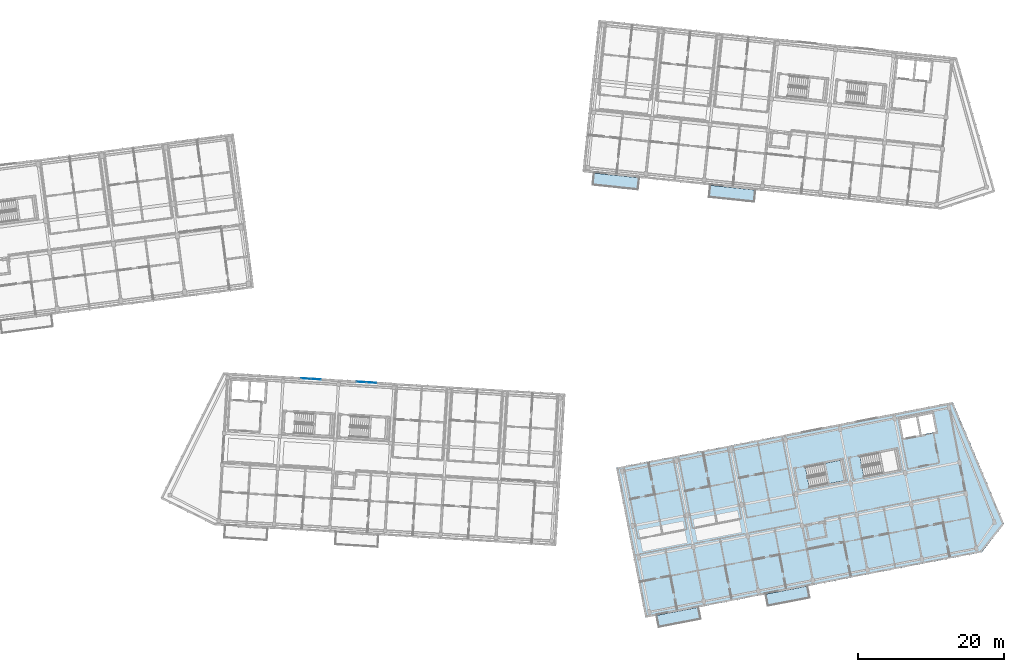
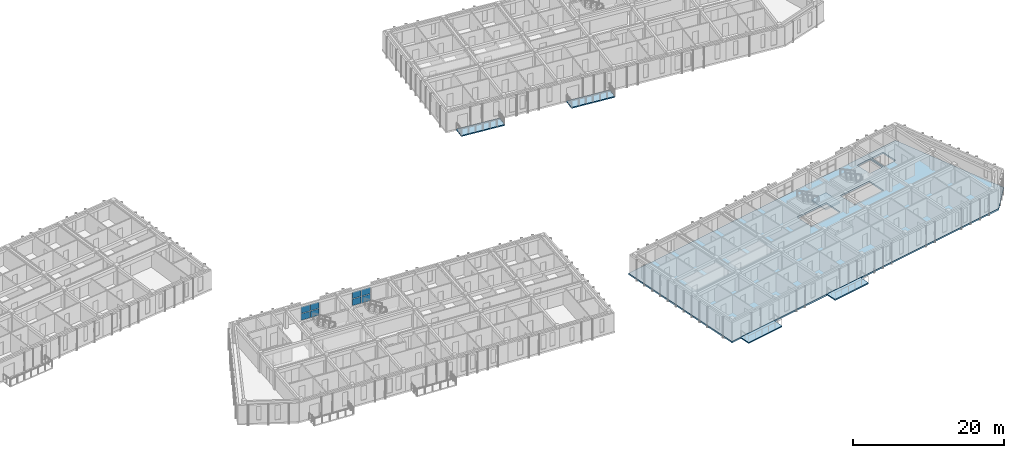
# One storey, part 18 of 66: 8 plates, 6 slabs, 3 elements without a shape of their own.
"""IFC4 building model written with IfcOpenShell, lengths in metres."""

from ifc_helpers import new_model, si_unit, direction, frame, origin, origin_2d, place, context, subcontext, project, spatial, polyline, rectangle, outline, extrude, material, layer, layer_set, type_object, element, aggregate, save


model = new_model("IFC4")

# Units and contexts
model_context = context("Model", 3, precision=1e-05, world=origin(), true_north=direction((0.0, 1.0)))
body_context = subcontext(model_context, "Body", "Model", "MODEL_VIEW")
ifc_project = project(units=[si_unit("LENGTHUNIT", "METRE"), si_unit("AREAUNIT", "SQUARE_METRE"), si_unit("VOLUMEUNIT", "CUBIC_METRE"), si_unit("PLANEANGLEUNIT", "RADIAN"), si_unit("MASSUNIT", "GRAM", prefix="KILO")], contexts=[model_context])

# Site, building, storey
site_placement = place(None, origin())
site = spatial("IfcSite", under=ifc_project, at=site_placement, CompositionType="ELEMENT")
building_placement = place(site_placement, origin())
building = spatial("IfcBuilding", under=site, at=building_placement, Name="Kestramere Prow Commons", CompositionType="ELEMENT")
storey_placement = place(building_placement, frame((0.0, 0.0, 14.89990234375)))
storey = spatial("IfcBuildingStorey", under=building, at=storey_placement, Name="L04", CompositionType="ELEMENT", Elevation=14.89990234375)

# Curtain wall, plates
ifc_material_1 = material(Name="Anodised Aluminium and Low-E Glass", Category="aluminium")
curtain_wall_type = type_object("IfcCurtainWallType", Name="CW-03 Glazed Curtain Wall 2830x2320", PredefinedType="USERDEFINED", material=ifc_material_1)
curtain_wall_1_placement = place(storey_placement, origin())
curtain_wall_1 = element("IfcCurtainWall", 1, at=curtain_wall_1_placement, inside=storey, type_object=curtain_wall_type, Name="Block C L04 Stairwell Vertical Glazing 2", ObjectType="GLAZED CURTAIN WALL", PredefinedType="USERDEFINED")
ifc_material_2 = material(Name="Low-E Laminated Double Glazing", Category="glass")
ifc_layer_1 = layer(ifc_material_2, 0.028076171875)
ifc_layer_set_1 = layer_set([ifc_layer_1], Name="Low-E Laminated Double Glazing")
plate_type = type_object("IfcPlateType", Name="CW-PNL-28", PredefinedType="CURTAIN_PANEL", material=ifc_layer_set_1)
plate_1_placement = place(storey_placement, frame((71.41748046875, 65.93359375, 0.065185546875), z_axis=(0.0, 0.0, 1.0), x_axis=(0.99813480569, -0.061048420708, 0.0)))
plate_1 = element("IfcPlate", 2, at=plate_1_placement, type_object=plate_type, Name="CW-03 panel 1.1", PredefinedType="CURTAIN_PANEL", context=body_context, shape_type="SweptSolid", body=[
    extrude(rectangle(XDim=1.3173828125, YDim=0.028076171875, at=origin_2d()), origin(), (0.0, 0.0, 1.0), 1.0625),
])
plate_2_placement = place(storey_placement, frame((71.41748046875, 65.93359375, 1.192626953125), z_axis=(0.0, 0.0, 1.0), x_axis=(0.99813480569, -0.061048420708, 0.0)))
plate_2 = element("IfcPlate", 3, at=plate_2_placement, type_object=plate_type, Name="CW-03 panel 1.2", PredefinedType="CURTAIN_PANEL", context=body_context, shape_type="SweptSolid", body=[
    extrude(rectangle(XDim=1.3173828125, YDim=0.028076171875, at=origin_2d()), origin(), (0.0, 0.0, 1.0), 1.0625),
])
plate_3_placement = place(storey_placement, frame((72.79736328125, 65.849365234375, 0.065185546875), z_axis=(0.0, 0.0, 1.0), x_axis=(0.99813480569, -0.061048420708, 0.0)))
plate_3 = element("IfcPlate", 4, at=plate_3_placement, type_object=plate_type, Name="CW-03 panel 2.1", PredefinedType="CURTAIN_PANEL", context=body_context, shape_type="SweptSolid", body=[
    extrude(rectangle(XDim=1.3173828125, YDim=0.028076171875, at=origin_2d()), origin(), (0.0, 0.0, 1.0), 1.0625),
])
plate_4_placement = place(storey_placement, frame((72.79736328125, 65.849365234375, 1.192626953125), z_axis=(0.0, 0.0, 1.0), x_axis=(0.99813480569, -0.061048420708, 0.0)))
plate_4 = element("IfcPlate", 5, at=plate_4_placement, type_object=plate_type, Name="CW-03 panel 2.2", PredefinedType="CURTAIN_PANEL", context=body_context, shape_type="SweptSolid", body=[
    extrude(rectangle(XDim=1.3173828125, YDim=0.028076171875, at=origin_2d()), origin(), (0.0, 0.0, 1.0), 1.0625),
])
aggregate(curtain_wall_1, [plate_1, plate_2, plate_3, plate_4])

curtain_wall_2_placement = place(storey_placement, origin())
curtain_wall_2 = element("IfcCurtainWall", 6, at=curtain_wall_2_placement, inside=storey, type_object=curtain_wall_type, Name="Block C L04 Stairwell Vertical Glazing 3", ObjectType="GLAZED CURTAIN WALL", PredefinedType="USERDEFINED")
plate_5_placement = place(storey_placement, frame((79.003173828125, 65.4697265625, 0.065185546875), z_axis=(0.0, 0.0, 1.0), x_axis=(0.998134807007, -0.061048399176, 0.0)))
plate_5 = element("IfcPlate", 7, at=plate_5_placement, type_object=plate_type, Name="CW-03 panel 1.1", PredefinedType="CURTAIN_PANEL", context=body_context, shape_type="SweptSolid", body=[
    extrude(rectangle(XDim=1.3173828125, YDim=0.028076171875, at=origin_2d()), origin(), (0.0, 0.0, 1.0), 1.0625),
])
plate_6_placement = place(storey_placement, frame((79.003173828125, 65.4697265625, 1.192626953125), z_axis=(0.0, 0.0, 1.0), x_axis=(0.998134807007, -0.061048399176, 0.0)))
plate_6 = element("IfcPlate", 8, at=plate_6_placement, type_object=plate_type, Name="CW-03 panel 1.2", PredefinedType="CURTAIN_PANEL", context=body_context, shape_type="SweptSolid", body=[
    extrude(rectangle(XDim=1.3173828125, YDim=0.028076171875, at=origin_2d()), origin(), (0.0, 0.0, 1.0), 1.0625),
])
plate_7_placement = place(storey_placement, frame((80.383056640625, 65.38525390625, 0.065185546875), z_axis=(0.0, 0.0, 1.0), x_axis=(0.998134807007, -0.061048399176, 0.0)))
plate_7 = element("IfcPlate", 9, at=plate_7_placement, type_object=plate_type, Name="CW-03 panel 2.1", PredefinedType="CURTAIN_PANEL", context=body_context, shape_type="SweptSolid", body=[
    extrude(rectangle(XDim=1.3173828125, YDim=0.028076171875, at=origin_2d()), origin(), (0.0, 0.0, 1.0), 1.0625),
])
plate_8_placement = place(storey_placement, frame((80.383056640625, 65.38525390625, 1.192626953125), z_axis=(0.0, 0.0, 1.0), x_axis=(0.998134807007, -0.061048399176, 0.0)))
plate_8 = element("IfcPlate", 10, at=plate_8_placement, type_object=plate_type, Name="CW-03 panel 2.2", PredefinedType="CURTAIN_PANEL", context=body_context, shape_type="SweptSolid", body=[
    extrude(rectangle(XDim=1.3173828125, YDim=0.028076171875, at=origin_2d()), origin(), (0.0, 0.0, 1.0), 1.0625),
])
aggregate(curtain_wall_2, [plate_5, plate_6, plate_7, plate_8])

# Slabs
ifc_material_3 = material(Name="Precast concrete C40/50", Category="concrete")
ifc_layer_2 = layer(ifc_material_3, 0.179931640625)
ifc_layer_set_2 = layer_set([ifc_layer_2], Name="Precast concrete C40/50")
slab_type_1 = type_object("IfcSlabType", Name="SL-BALC-180", PredefinedType="FLOOR", material=ifc_layer_set_2)
slab_1_placement = place(storey_placement, frame((0.0, 0.0, -0.179931640625)))
element("IfcSlab", 11, at=slab_1_placement, inside=storey, type_object=slab_type_1, Name="Block B L04 Apartment Balcony Slab 1", PredefinedType="FLOOR", context=body_context, shape_type="SweptSolid", body=[
    extrude(outline(polyline([(110.60498046875, 92.423828125), (116.870361328125, 91.76513671875), (117.04296875, 93.40625), (110.77734375, 94.064697265625), (110.60498046875, 92.423828125)])), origin(), (0.0, 0.0, 1.0), 0.179931640625),
])
slab_2_placement = place(storey_placement, frame((0.0, 0.0, -0.179931640625)))
element("IfcSlab", 12, at=slab_2_placement, inside=storey, type_object=slab_type_1, Name="Block B L04 Apartment Balcony Slab 3", PredefinedType="FLOOR", context=body_context, shape_type="SweptSolid", body=[
    extrude(outline(polyline([(126.517333984375, 90.751220703125), (132.78271484375, 90.0927734375), (132.955322265625, 91.733642578125), (126.689697265625, 92.392333984375), (126.517333984375, 90.751220703125)])), origin(), (0.0, 0.0, 1.0), 0.179931640625),
])
slab_3_placement = place(storey_placement, frame((0.0, 0.0, -0.179931640625)))
element("IfcSlab", 13, at=slab_3_placement, inside=storey, type_object=slab_type_1, Name="Block D L04 Apartment Balcony Slab 1", PredefinedType="FLOOR", context=body_context, shape_type="SweptSolid", body=[
    extrude(outline(polyline([(119.67333984375, 31.904541015625), (125.46484375, 33.0302734375), (125.14990234375, 34.64990234375), (119.3583984375, 33.524169921875), (119.67333984375, 31.904541015625)])), origin(), (0.0, 0.0, 1.0), 0.179931640625),
])
slab_4_placement = place(storey_placement, frame((0.0, 0.0, -0.179931640625)))
element("IfcSlab", 14, at=slab_4_placement, inside=storey, type_object=slab_type_1, Name="Block D L04 Apartment Balcony Slab 3", PredefinedType="FLOOR", context=body_context, shape_type="SweptSolid", body=[
    extrude(outline(polyline([(134.593994140625, 34.8046875), (140.385498046875, 35.930419921875), (140.07080078125, 37.55029296875), (134.279052734375, 36.42431640625), (134.593994140625, 34.8046875)])), origin(), (0.0, 0.0, 1.0), 0.179931640625),
])
ifc_layer_3 = layer(ifc_material_3, 0.25)
ifc_layer_set_3 = layer_set([ifc_layer_3], Name="Precast concrete C40/50")
slab_type_2 = type_object("IfcSlabType", Name="SL-HC-250", PredefinedType="FLOOR", material=ifc_layer_set_3)
slab_5_placement = place(storey_placement, frame((0.0, 0.0, -0.25)))
element("IfcSlab", 15, at=slab_5_placement, inside=storey, type_object=slab_type_2, Name="Block D L04 Hollowcore Floor Slab", PredefinedType="FLOOR", context=body_context, shape_type="SweptSolid", body=[
    extrude(outline(polyline([(117.885986328125, 33.238037109375), (163.92431640625, 42.186767578125), (166.936279296875, 46.083251953125), (159.936279296875, 62.702880859375), (113.89794921875, 53.75390625), (117.885986328125, 33.238037109375)]), holes=[polyline([(153.1533203125, 57.767822265625), (155.4111328125, 58.206787109375), (154.924560546875, 60.7099609375), (152.666748046875, 60.27099609375), (153.1533203125, 57.767822265625)]), polyline([(155.656494140625, 58.25439453125), (157.619873046875, 58.63623046875), (157.13330078125, 61.13916015625), (155.169921875, 60.757568359375), (155.656494140625, 58.25439453125)]), polyline([(140.300537109375, 51.0419921875), (145.306884765625, 52.01513671875), (144.76318359375, 54.812744140625), (139.7568359375, 53.839599609375), (140.300537109375, 51.0419921875)]), polyline([(147.760986328125, 52.4921875), (152.767333984375, 53.46533203125), (152.223388671875, 56.262939453125), (147.21728515625, 55.289794921875), (147.760986328125, 52.4921875)])]), origin(), (0.0, 0.0, 1.0), 0.25),
])

# Stair, slab
ifc_material_4 = material(Name="Concrete C40/50", Category="concrete")
stair_type = type_object("IfcStairType", Name="ST-DOG-1350", PredefinedType="HALF_TURN_STAIR", material=ifc_material_4)
stair_placement = place(storey_placement, origin())
stair = element("IfcStair", 16, at=stair_placement, inside=storey, type_object=stair_type, Name="L04 Block D Exit Stair 1", PredefinedType="HALF_TURN_STAIR")
ifc_layer_4 = layer(ifc_material_4, 0.199951171875)
ifc_layer_set_4 = layer_set([ifc_layer_4], Name="Concrete C40/50")
slab_type_3 = type_object("IfcSlabType", Name="SL-ST-LAND-200", PredefinedType="LANDING", material=ifc_layer_set_4)
slab_6_placement = place(storey_placement, frame((0.0, 0.0, 1.425048828125)))
slab_6 = element("IfcSlab", 17, at=slab_6_placement, type_object=slab_type_3, Name="ST-D1 landing 1", PredefinedType="LANDING", context=body_context, shape_type="SweptSolid", body=[
    extrude(outline(polyline([(142.7744140625, 51.522705078125), (145.306884765625, 52.01513671875), (144.76318359375, 54.812744140625), (142.23046875, 54.3203125), (142.7744140625, 51.522705078125)])), origin(), (0.0, 0.0, 1.0), 0.199951171875),
])
aggregate(stair, [slab_6])

save(model, "model.ifc")
